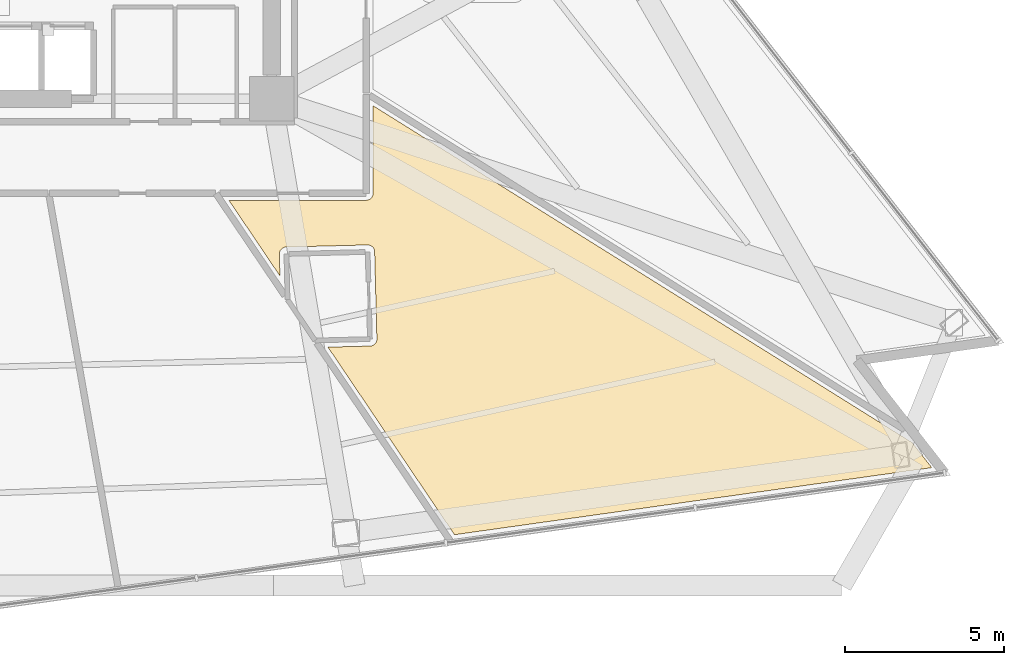
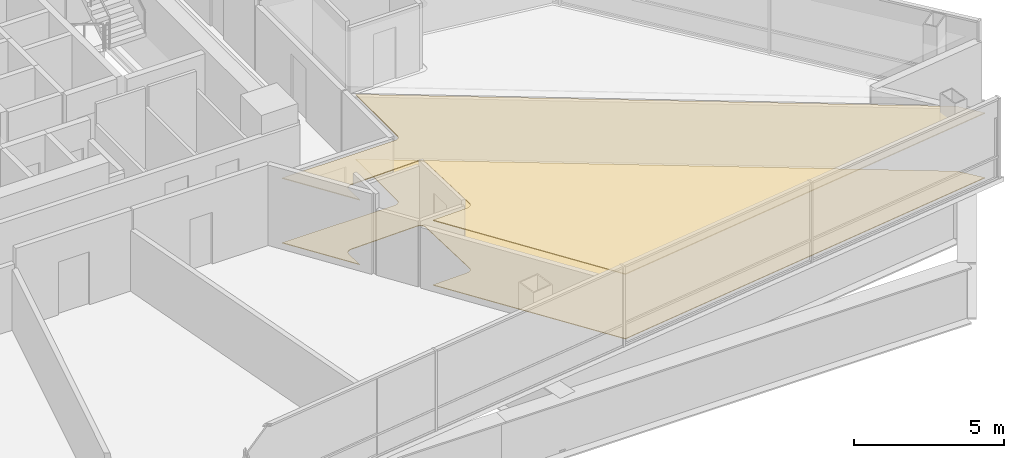
# One storey, part 13 of 15: 2 coverings.
"""IFC4 building model written with IfcOpenShell, lengths in metres."""

from ifc_helpers import new_model, si_unit, direction, frame, origin, place, context, subcontext, project, spatial, polyline, outline, extrude, material, layer, layer_set, type_object, element, save


model = new_model("IFC4")

# Units and contexts
model_context = context("Model", 3, precision=1e-05, world=origin(), true_north=direction((0.0, 1.0)))
body_context = subcontext(model_context, "Body", "Model", "MODEL_VIEW")
ifc_project = project(units=[si_unit("LENGTHUNIT", "METRE"), si_unit("AREAUNIT", "SQUARE_METRE"), si_unit("VOLUMEUNIT", "CUBIC_METRE"), si_unit("PLANEANGLEUNIT", "RADIAN"), si_unit("MASSUNIT", "GRAM", prefix="KILO")], contexts=[model_context])

# Site, building, storey
site_placement = place(None, origin())
site = spatial("IfcSite", under=ifc_project, at=site_placement, CompositionType="ELEMENT")
building_placement = place(site_placement, origin())
building = spatial("IfcBuilding", under=site, at=building_placement, Name="Tharavind Bronze Gate", CompositionType="ELEMENT")
storey_placement = place(building_placement, frame((0.0, 0.0, 57.0)))
storey = spatial("IfcBuildingStorey", under=building, at=storey_placement, Name="L13", CompositionType="ELEMENT", Elevation=57.0)

# Coverings
ifc_material_1 = material(Name="Engineered Oak & Carpet Tile", Category="wood")
ifc_layer_1 = layer(ifc_material_1, 0.02490234375)
ifc_layer_set_1 = layer_set([ifc_layer_1], Name="Engineered Oak & Carpet Tile")
covering_type_1 = type_object("IfcCoveringType", Name="ENGINEERED TIMBER FLOORING", PredefinedType="FLOORING", material=ifc_layer_set_1)
covering_1_placement = place(storey_placement, origin())
element("IfcCovering", 1, at=covering_1_placement, inside=storey, type_object=covering_type_1, Name="L13-RM-13 floor finish", PredefinedType="FLOORING", context=body_context, shape_type="SweptSolid", body=[
    extrude(outline(polyline([(9.160888671875, -13.18798828125), (9.14306640625, -12.5009765625), (9.143798828125, -12.4794921875), (9.146240234375, -12.4580078125), (9.15087890625, -12.43701171875), (9.15771484375, -12.41650390625), (9.16650390625, -12.396728515625), (9.177001953125, -12.3779296875), (9.189453125, -12.360107421875), (9.20361328125, -12.343994140625), (9.21923828125, -12.3291015625), (9.236083984375, -12.315673828125), (9.25439453125, -12.30419921875), (9.273681640625, -12.29443359375), (9.293701171875, -12.28662109375), (9.314697265625, -12.28076171875), (9.3359375, -12.277099609375), (9.357421875, -12.275390625), (11.921875, -12.20947265625), (11.943603515625, -12.2099609375), (11.96484375, -12.212646484375), (11.986083984375, -12.21728515625), (12.006591796875, -12.22412109375), (12.0263671875, -12.232666015625), (12.045166015625, -12.243408203125), (12.062744140625, -12.255859375), (12.0791015625, -12.269775390625), (12.093994140625, -12.285400390625), (12.107421875, -12.302490234375), (12.118896484375, -12.32080078125), (12.128662109375, -12.340087890625), (12.136474609375, -12.360107421875), (12.14208984375, -12.380859375), (12.14599609375, -12.402099609375), (12.1474609375, -12.423583984375), (12.21826171875, -15.1728515625), (12.2177734375, -15.1943359375), (12.215087890625, -15.2158203125), (12.21044921875, -15.23681640625), (12.20361328125, -15.25732421875), (12.195068359375, -15.277099609375), (12.184326171875, -15.2958984375), (12.171875, -15.313720703125), (12.157958984375, -15.330078125), (12.14208984375, -15.344970703125), (12.125244140625, -15.358154296875), (12.10693359375, -15.36962890625), (12.087646484375, -15.37939453125), (12.067626953125, -15.38720703125), (12.046875, -15.39306640625), (12.025390625, -15.396728515625), (12.00390625, -15.3984375), (10.6748046875, -15.4326171875), (14.666015625, -21.349853515625), (29.7197265625, -19.234375), (29.103271484375, -18.4453125), (12.10009765625, -7.8203125), (12.10009765625, -10.579345703125), (12.099609375, -10.590087890625), (12.099609375, -10.5908203125), (12.09765625, -10.6123046875), (12.093505859375, -10.63330078125), (12.087158203125, -10.654052734375), (12.078857421875, -10.674072265625), (12.068603515625, -10.693115234375), (12.056640625, -10.7109375), (12.04296875, -10.727783203125), (12.027587890625, -10.742919921875), (12.010986328125, -10.756591796875), (11.9931640625, -10.768798828125), (11.97412109375, -10.77880859375), (11.9541015625, -10.787109375), (11.933349609375, -10.79345703125), (11.912353515625, -10.797607421875), (11.890869140625, -10.7998046875), (11.89013671875, -10.7998046875), (11.87939453125, -10.800048828125), (7.550048828125, -10.800048828125), (9.160888671875, -13.18798828125)])), origin(), (0.0, 0.0, 1.0), 0.02490234375),
])
ifc_material_2 = material(Name="Acoustic Gypsum Board", Category="gypsum")
ifc_layer_2 = layer(ifc_material_2, 0.030029296875)
ifc_layer_set_2 = layer_set([ifc_layer_2], Name="Acoustic Gypsum Board")
covering_type_2 = type_object("IfcCoveringType", Name="GYPSUM SUSPENDED CEILING", PredefinedType="CEILING", material=ifc_layer_set_2)
covering_2_placement = place(storey_placement, frame((0.0, 0.0, 2.625)))
element("IfcCovering", 2, at=covering_2_placement, inside=storey, type_object=covering_type_2, Name="L13-RM-13 suspended ceiling", PredefinedType="CEILING", context=body_context, shape_type="SweptSolid", body=[
    extrude(outline(polyline([(9.160888671875, -13.18798828125), (9.14306640625, -12.5009765625), (9.143798828125, -12.4794921875), (9.146240234375, -12.4580078125), (9.15087890625, -12.43701171875), (9.15771484375, -12.41650390625), (9.16650390625, -12.396728515625), (9.177001953125, -12.3779296875), (9.189453125, -12.360107421875), (9.20361328125, -12.343994140625), (9.21923828125, -12.3291015625), (9.236083984375, -12.315673828125), (9.25439453125, -12.30419921875), (9.273681640625, -12.29443359375), (9.293701171875, -12.28662109375), (9.314697265625, -12.28076171875), (9.3359375, -12.277099609375), (9.357421875, -12.275390625), (11.921875, -12.20947265625), (11.943603515625, -12.2099609375), (11.96484375, -12.212646484375), (11.986083984375, -12.21728515625), (12.006591796875, -12.22412109375), (12.0263671875, -12.232666015625), (12.045166015625, -12.243408203125), (12.062744140625, -12.255859375), (12.0791015625, -12.269775390625), (12.093994140625, -12.285400390625), (12.107421875, -12.302490234375), (12.118896484375, -12.32080078125), (12.128662109375, -12.340087890625), (12.136474609375, -12.360107421875), (12.14208984375, -12.380859375), (12.14599609375, -12.402099609375), (12.1474609375, -12.423583984375), (12.21826171875, -15.1728515625), (12.2177734375, -15.1943359375), (12.215087890625, -15.2158203125), (12.21044921875, -15.23681640625), (12.20361328125, -15.25732421875), (12.195068359375, -15.277099609375), (12.184326171875, -15.2958984375), (12.171875, -15.313720703125), (12.157958984375, -15.330078125), (12.14208984375, -15.344970703125), (12.125244140625, -15.358154296875), (12.10693359375, -15.36962890625), (12.087646484375, -15.37939453125), (12.067626953125, -15.38720703125), (12.046875, -15.39306640625), (12.025390625, -15.396728515625), (12.00390625, -15.3984375), (10.6748046875, -15.4326171875), (14.666015625, -21.349853515625), (29.7197265625, -19.234375), (29.103271484375, -18.4453125), (12.10009765625, -7.8203125), (12.10009765625, -10.579345703125), (12.099609375, -10.590087890625), (12.099609375, -10.5908203125), (12.09765625, -10.6123046875), (12.093505859375, -10.63330078125), (12.087158203125, -10.654052734375), (12.078857421875, -10.674072265625), (12.068603515625, -10.693115234375), (12.056640625, -10.7109375), (12.04296875, -10.727783203125), (12.027587890625, -10.742919921875), (12.010986328125, -10.756591796875), (11.9931640625, -10.768798828125), (11.97412109375, -10.77880859375), (11.9541015625, -10.787109375), (11.933349609375, -10.79345703125), (11.912353515625, -10.797607421875), (11.890869140625, -10.7998046875), (11.89013671875, -10.7998046875), (11.87939453125, -10.800048828125), (7.550048828125, -10.800048828125), (9.160888671875, -13.18798828125)])), origin(), (0.0, 0.0, 1.0), 0.034912109375),
])

save(model, "model.ifc")
